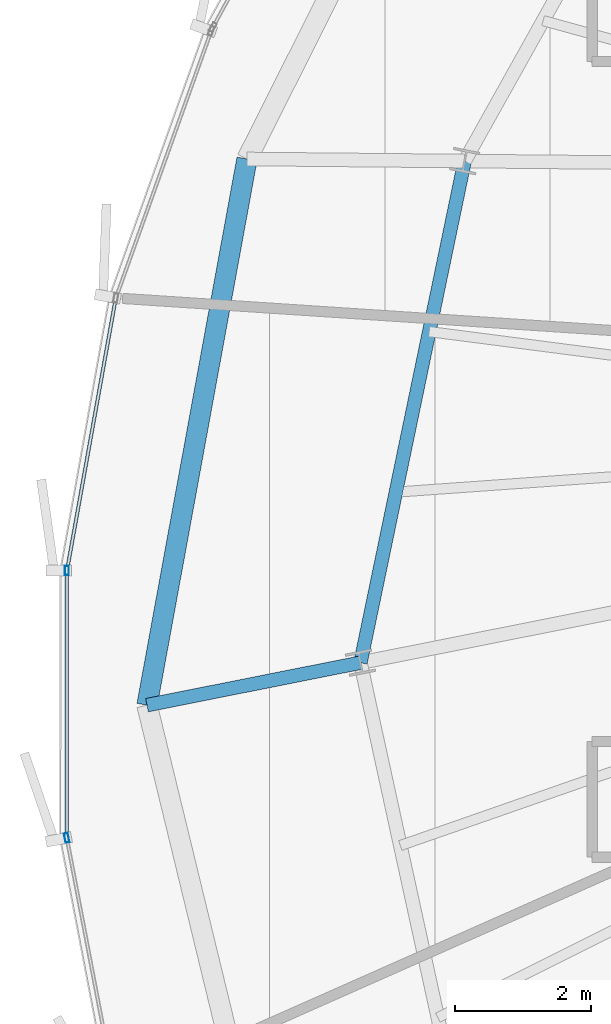
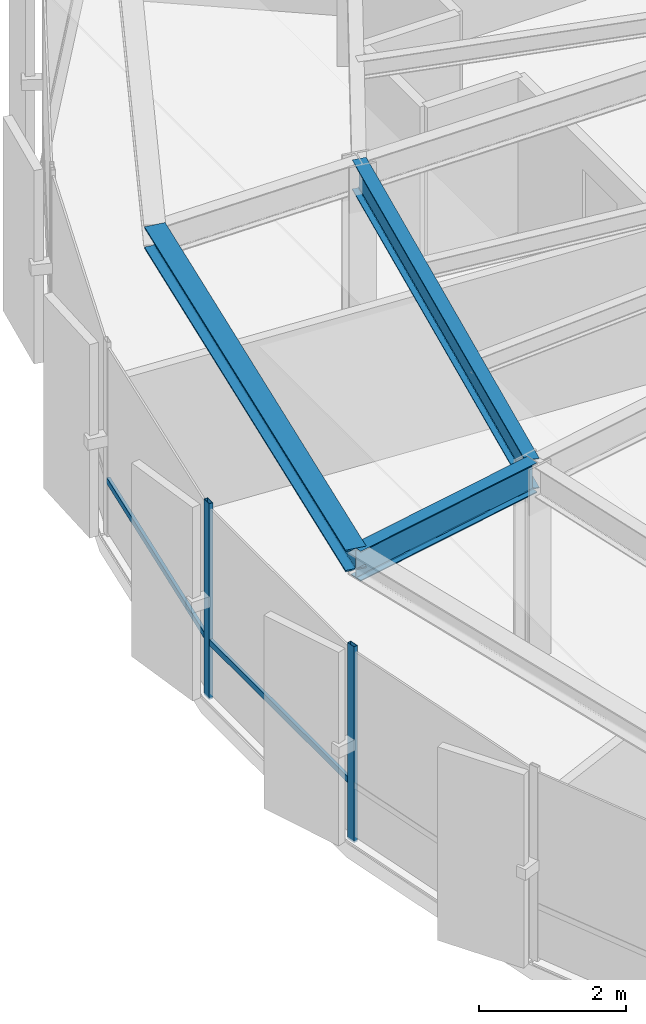
# One storey, part 10 of 36: 4 members, 3 beams, 1 element without a shape of its own.
"""IFC4 building model written with IfcOpenShell, lengths in metres."""

from ifc_helpers import new_model, si_unit, direction, frame, origin, origin_2d, place, context, subcontext, project, spatial, hollow_rectangle, i_section, extrude, source, transform, mapped, material, layer, layer_set, material_profile, profile_set, type_object, element, aggregate, save


model = new_model("IFC4")

# Units and contexts
model_context = context("Model", 3, precision=1e-05, world=origin(), true_north=direction((0.0, 1.0)))
body_context = subcontext(model_context, "Body", "Model", "MODEL_VIEW")
ifc_project = project(units=[si_unit("LENGTHUNIT", "METRE"), si_unit("AREAUNIT", "SQUARE_METRE"), si_unit("VOLUMEUNIT", "CUBIC_METRE"), si_unit("PLANEANGLEUNIT", "RADIAN"), si_unit("MASSUNIT", "GRAM", prefix="KILO"), si_unit("THERMODYNAMICTEMPERATUREUNIT", "KELVIN")], contexts=[model_context])

# Site, building, storey
site_placement = place(None, origin())
site = spatial("IfcSite", under=ifc_project, at=site_placement, CompositionType="ELEMENT")
building_placement = place(site_placement, origin())
building = spatial("IfcBuilding", under=site, at=building_placement, Name="Kethvar Cultural Tower", CompositionType="ELEMENT")
storey_placement = place(building_placement, frame((0.0, 0.0, 197.39990234375)))
storey = spatial("IfcBuildingStorey", under=building, at=storey_placement, Name="L51", CompositionType="ELEMENT", Elevation=197.39990234375)

# Beams
ifc_material_1 = material(Name="Steel S355J2", Category="steel")
ifc_material_profile_1 = material_profile(ifc_material_1, i_section(OverallWidth=0.199951171875, OverallDepth=0.5, WebThickness=0.01025390625, FlangeThickness=0.01611328125, FilletRadius=0.02099609375, at=origin_2d()), Name="Steel S355J2 — IPE500")
ifc_profile_set_1 = profile_set([ifc_material_profile_1], Name="Steel S355J2 — IPE500")
beam_type_1 = type_object("IfcBeamType", Name="BM-IPE500", PredefinedType="BEAM", material=ifc_profile_set_1)
shared_shape_1 = source(origin(), body_context, "Body", "SweptSolid", [
    extrude(i_section(OverallWidth=0.199951171875, OverallDepth=0.5, WebThickness=0.01025390625, FlangeThickness=0.01611328125, FilletRadius=0.02099609375, at=origin_2d()), origin(), (0.0, 0.0, 1.0), 3.199951171875),
])
beam_1_placement = place(storey_placement, frame((27.492919921875, 23.959716796875, 3.008056640625), z_axis=(-0.980770949178, -0.195162356126, 0.0), x_axis=(0.195162356126, -0.980770949178, 0.0)))
element("IfcBeam", 1, at=beam_1_placement, inside=storey, type_object=beam_type_1, Name="L51 Perimeter Cantilever Beam RC-09", PredefinedType="BEAM", context=body_context, shape_type="MappedRepresentation", body=[
    mapped(shared_shape_1, transform((0.0, 0.0, 0.0), scale=1.0)),
])
shared_shape_2 = source(origin(), body_context, "Body", "SweptSolid", [
    extrude(i_section(OverallWidth=0.199951171875, OverallDepth=0.5, WebThickness=0.01025390625, FlangeThickness=0.01611328125, FilletRadius=0.02099609375, at=origin_2d()), origin(), (0.0, 0.0, 1.0), 7.533447265625),
])
beam_2_placement = place(storey_placement, frame((29.02490234375, 31.335693359375, 3.008056640625), z_axis=(-0.203358905185, -0.979104261906, 0.0), x_axis=(0.979104261906, -0.203358905185, 0.0)))
element("IfcBeam", 2, at=beam_2_placement, inside=storey, type_object=beam_type_1, Name="L51 Column Ring Tie Beam CR-08", PredefinedType="BEAM", context=body_context, shape_type="MappedRepresentation", body=[
    mapped(shared_shape_2, transform((0.0, 0.0, 0.0), scale=1.0)),
])
ifc_material_profile_2 = material_profile(ifc_material_1, i_section(OverallWidth=0.300048828125, OverallDepth=0.360107421875, WebThickness=0.012451171875, FlangeThickness=0.0224609375, FilletRadius=0.027099609375, at=origin_2d()), Name="Steel S355J2 — HEB360")
ifc_profile_set_2 = profile_set([ifc_material_profile_2], Name="Steel S355J2 — HEB360")
beam_type_2 = type_object("IfcBeamType", Name="BM-SP360", PredefinedType="SPANDREL", material=ifc_profile_set_2)
shared_shape_3 = source(origin(), body_context, "Body", "SweptSolid", [
    extrude(i_section(OverallWidth=0.300048828125, OverallDepth=0.360107421875, WebThickness=0.012451171875, FlangeThickness=0.0224609375, FilletRadius=0.027099609375, at=origin_2d()), origin(), (0.0, 0.0, 1.0), 8.16455078125),
])
beam_3_placement = place(storey_placement, frame((25.824951171875, 31.3662109375, 3.078125), z_axis=(-0.180103654572, -0.983647636916, 0.0), x_axis=(0.983647636916, -0.180103654572, 0.0)))
element("IfcBeam", 3, at=beam_3_placement, inside=storey, type_object=beam_type_2, Name="L51 Perimeter Spandrel Beam SP-08", PredefinedType="SPANDREL", context=body_context, shape_type="MappedRepresentation", body=[
    mapped(shared_shape_3, transform((0.0, 0.0, 0.0), scale=1.0)),
])

# Curtain wall, members
ifc_material_2 = material(Name="Aluminium 6063-T6", Category="aluminium")
ifc_layer = layer(ifc_material_2, 0.179931640625, Name="Aluminium 6063-T6", Category="aluminium")
ifc_layer_set = layer_set([ifc_layer], Name="Aluminium 6063-T6 (180 mm)")
curtain_wall_type = type_object("IfcCurtainWallType", Name="CW-SYS-04-Z34", PredefinedType="NOTDEFINED", material=ifc_layer_set)
curtain_wall_placement = place(storey_placement, origin())
curtain_wall = element("IfcCurtainWall", 4, at=curtain_wall_placement, inside=storey, type_object=curtain_wall_type, Name="L51 Curtain Wall Run 03", PredefinedType="NOTDEFINED")
ifc_material_profile_3 = material_profile(ifc_material_2, hollow_rectangle(XDim=0.06005859375, YDim=0.139892578125, WallThickness=0.0048828125, at=origin_2d()), Name="Aluminium 6063-T6 — RHS140x60x5")
ifc_profile_set_3 = profile_set([ifc_material_profile_3], Name="Aluminium 6063-T6 — RHS140x60x5")
member_type_1 = type_object("IfcMemberType", Name="CW-SYS-04-Z34-MUL", PredefinedType="MULLION", material=ifc_profile_set_3)
shared_shape_4 = source(origin(), body_context, "Body", "SweptSolid", [
    extrude(hollow_rectangle(XDim=0.06005859375, YDim=0.139892578125, WallThickness=0.0048828125, at=origin_2d()), origin(), (0.0, 0.0, 1.0), 3.260009765625),
])
member_1_placement = place(storey_placement, frame((23.176513671875, 25.315185546875, 0.0), z_axis=(0.0, 0.0, 1.0), x_axis=(0.999999998629, -5.2359878e-05, 0.0)))
member_1 = element("IfcMember", 5, at=member_1_placement, type_object=member_type_1, Name="CW-L51-R03 Mullion 3", PredefinedType="MULLION", context=body_context, shape_type="MappedRepresentation", body=[
    mapped(shared_shape_4, transform((0.0, 0.0, 0.0), scale=1.0)),
])
member_2_placement = place(storey_placement, frame((23.17431640625, 21.385009765625, 0.0), z_axis=(0.0, 0.0, 1.0), x_axis=(0.982064170359, 0.188546984321, 0.0)))
member_2 = element("IfcMember", 6, at=member_2_placement, type_object=member_type_1, Name="CW-L51-R03 Mullion 4", PredefinedType="MULLION", context=body_context, shape_type="MappedRepresentation", body=[
    mapped(shared_shape_4, transform((0.0, 0.0, 0.0), scale=1.0)),
])
ifc_material_profile_4 = material_profile(ifc_material_2, hollow_rectangle(XDim=0.050048828125, YDim=0.10009765625, WallThickness=0.00390625, at=origin_2d()), Name="Aluminium 6063-T6 — RHS100x50x4")
ifc_profile_set_4 = profile_set([ifc_material_profile_4], Name="Aluminium 6063-T6 — RHS100x50x4")
member_type_2 = type_object("IfcMemberType", Name="CW-SYS-04-Z34-TRN", PredefinedType="USERDEFINED", material=ifc_profile_set_4)
shared_shape_5 = source(origin(), body_context, "Body", "SweptSolid", [
    extrude(hollow_rectangle(XDim=0.050048828125, YDim=0.10009765625, WallThickness=0.00390625, at=origin_2d()), origin(), (0.0, 0.0, 1.0), 4.00439453125),
])
member_3_placement = place(storey_placement, frame((23.88818359375, 29.27978515625, 0.9501953125), z_axis=(-0.17626118703, -0.984343432927, 0.0), x_axis=(0.984343432927, -0.17626118703, 0.0)))
member_3 = element("IfcMember", 7, at=member_3_placement, type_object=member_type_2, Name="CW-L51-R03 Transom 2", ObjectType="TRANSOM", PredefinedType="USERDEFINED", context=body_context, shape_type="MappedRepresentation", body=[
    mapped(shared_shape_5, transform((0.0, 0.0, 0.0), scale=1.0)),
])
shared_shape_6 = source(origin(), body_context, "Body", "SweptSolid", [
    extrude(hollow_rectangle(XDim=0.050048828125, YDim=0.10009765625, WallThickness=0.00390625, at=origin_2d()), origin(), (0.0, 0.0, 1.0), 3.864501953125),
])
member_4_placement = place(storey_placement, frame((23.176513671875, 25.27197265625, 0.9501953125), z_axis=(-6.3175185e-05, -0.999999998004, 0.0), x_axis=(0.999999998004, -6.3175185e-05, 0.0)))
member_4 = element("IfcMember", 8, at=member_4_placement, type_object=member_type_2, Name="CW-L51-R03 Transom 3", ObjectType="TRANSOM", PredefinedType="USERDEFINED", context=body_context, shape_type="MappedRepresentation", body=[
    mapped(shared_shape_6, transform((0.0, 0.0, 0.0), scale=1.0)),
])
aggregate(curtain_wall, [member_1, member_2, member_3, member_4])

save(model, "model.ifc")
